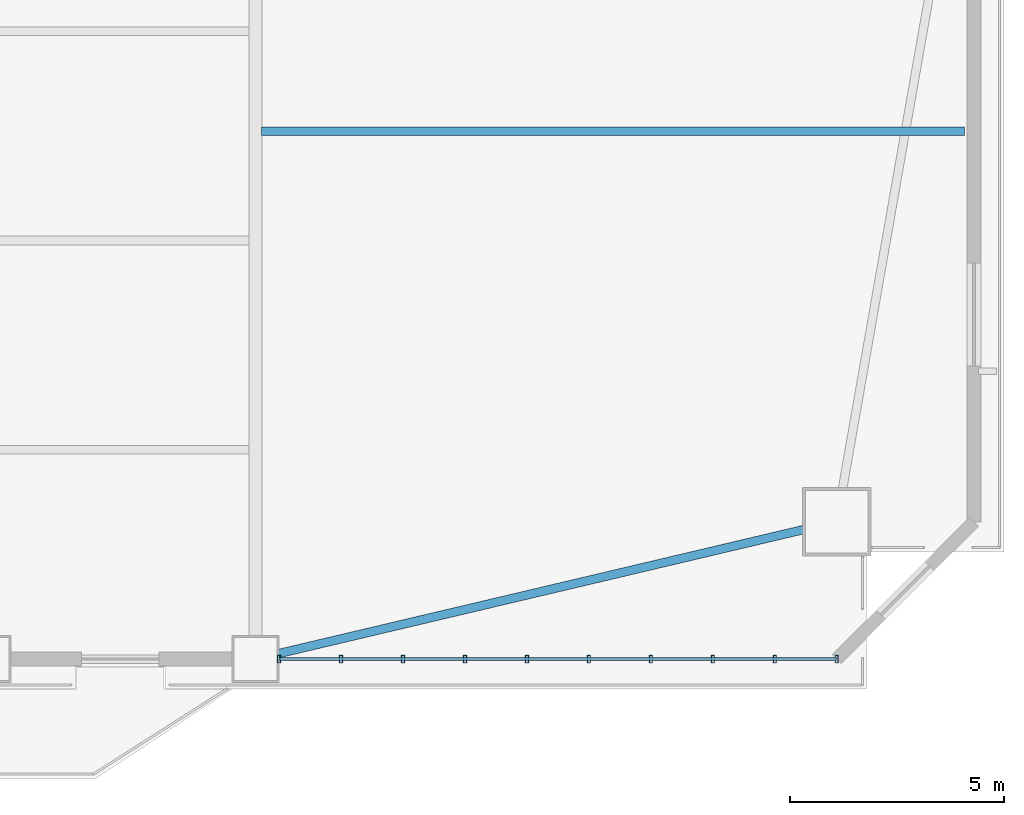
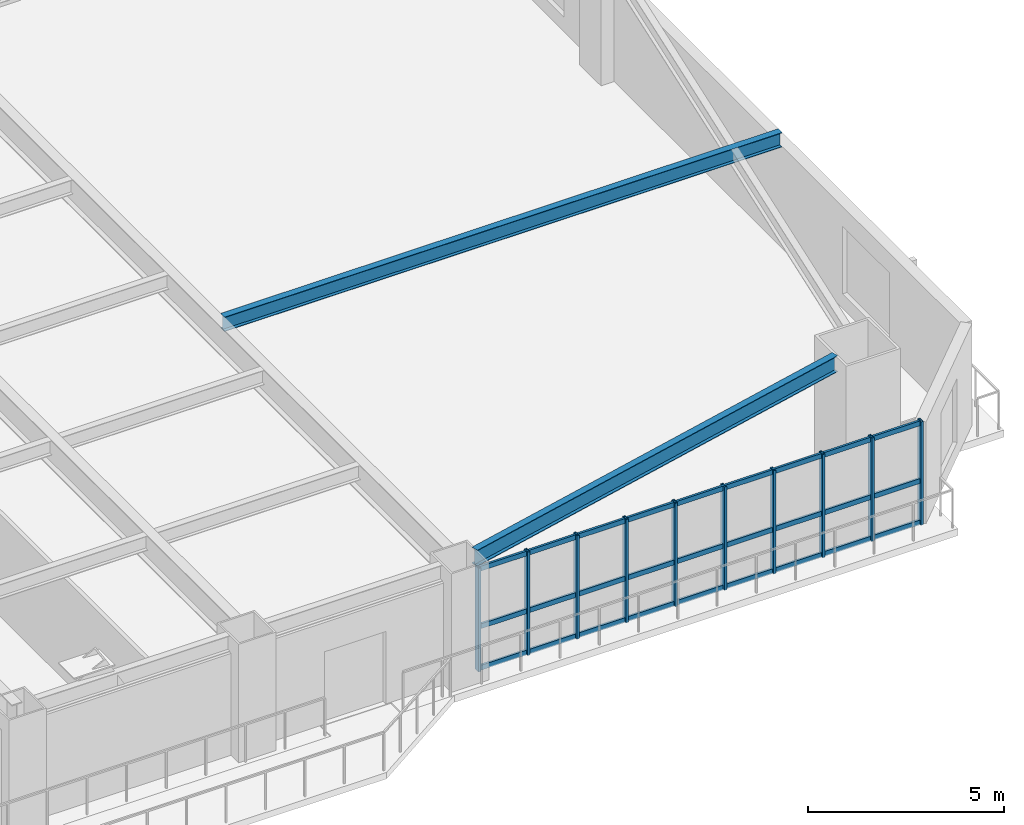
# One storey, part 6 of 17: 13 members, 2 beams, 1 element without a shape of its own.
"""IFC4 building model written with IfcOpenShell, lengths in metres."""

from ifc_helpers import new_model, si_unit, direction, frame, origin, origin_2d, place, context, subcontext, project, spatial, hollow_rectangle, i_section, extrude, source, transform, mapped, material, layer, layer_set, material_profile, profile_set, type_object, element, aggregate, save


model = new_model("IFC4")

# Units and contexts
model_context = context("Model", 3, precision=1e-05, world=origin(), true_north=direction((0.0, 1.0)))
body_context = subcontext(model_context, "Body", "Model", "MODEL_VIEW")
ifc_project = project(units=[si_unit("LENGTHUNIT", "METRE"), si_unit("AREAUNIT", "SQUARE_METRE"), si_unit("VOLUMEUNIT", "CUBIC_METRE"), si_unit("PLANEANGLEUNIT", "RADIAN"), si_unit("MASSUNIT", "GRAM", prefix="KILO")], contexts=[model_context])

# Site, building, storey
site_placement = place(None, origin())
site = spatial("IfcSite", under=ifc_project, at=site_placement, CompositionType="ELEMENT")
building_placement = place(site_placement, origin())
building = spatial("IfcBuilding", under=site, at=building_placement, Name="Giltprow Tower", CompositionType="ELEMENT")
storey_placement = place(building_placement, frame((0.0, 0.0, 29.300048828125)))
storey = spatial("IfcBuildingStorey", under=building, at=storey_placement, Name="L07", CompositionType="ELEMENT", Elevation=29.300048828125)

# Beams
ifc_material_1 = material(Name="Structural steel Q355B", Category="steel")
ifc_material_profile_1 = material_profile(ifc_material_1, i_section(OverallWidth=0.199951171875, OverallDepth=0.5, WebThickness=0.010009765625, FlangeThickness=0.01611328125, at=origin_2d()), Name="HN 500x200x10x16")
ifc_profile_set_1 = profile_set([ifc_material_profile_1], Name="Structural steel Q355B")
beam_type_1 = type_object("IfcBeamType", Name="BM-SPAN-HN500", PredefinedType="SPANDREL", material=ifc_profile_set_1)
shared_shape_1 = source(origin(), body_context, "Body", "SweptSolid", [
    extrude(i_section(OverallWidth=0.199951171875, OverallDepth=0.5, WebThickness=0.010009765625, FlangeThickness=0.01611328125, at=origin_2d()), origin(), (0.0, 0.0, 1.0), 12.602294921875),
])
beam_1_placement = place(storey_placement, frame((51.071044921875, 3.423095703125, 3.429931640625), z_axis=(0.973220162017, 0.229875001344, 0.0), x_axis=(-0.229875001344, 0.973220162017, 0.0)))
element("IfcBeam", 1, at=beam_1_placement, inside=storey, type_object=beam_type_1, Name="L07 Perimeter Spandrel Beam S4-MC_SE", PredefinedType="SPANDREL", context=body_context, shape_type="MappedRepresentation", body=[
    mapped(shared_shape_1, transform((0.0, 0.0, 0.0), x_axis=(1.0, 0.0, 0.0), y_axis=(0.0, 1.0, 0.0), z_axis=(0.0, 0.0, 1.0), scale=1.0)),
])
ifc_material_profile_2 = material_profile(ifc_material_1, i_section(OverallWidth=0.199951171875, OverallDepth=0.449951171875, WebThickness=0.009033203125, FlangeThickness=0.013916015625, at=origin_2d()), Name="HN 450x200x9x14")
ifc_profile_set_2 = profile_set([ifc_material_profile_2], Name="Structural steel Q355B")
beam_type_2 = type_object("IfcBeamType", Name="BM-JOIST-HN450", PredefinedType="JOIST", material=ifc_profile_set_2)
shared_shape_2 = source(origin(), body_context, "Body", "SweptSolid", [
    extrude(i_section(OverallWidth=0.199951171875, OverallDepth=0.449951171875, WebThickness=0.009033203125, FlangeThickness=0.013916015625, at=origin_2d()), origin(), (0.0, 0.0, 1.0), 16.385009765625),
])
beam_2_placement = place(storey_placement, frame((50.695068359375, 15.60009765625, 3.454833984375), z_axis=(1.0, 0.0, 0.0), x_axis=(0.0, 1.0, 0.0)))
element("IfcBeam", 2, at=beam_2_placement, inside=storey, type_object=beam_type_2, Name="L07 East Wing Floor Joist 1", PredefinedType="JOIST", context=body_context, shape_type="MappedRepresentation", body=[
    mapped(shared_shape_2, transform((0.0, 0.0, 0.0), x_axis=(1.0, 0.0, 0.0), y_axis=(0.0, 1.0, 0.0), z_axis=(0.0, 0.0, 1.0), scale=1.0)),
])

# Curtain wall, members
ifc_material_2 = material(Name="Anodized bronze", Category="metal")
ifc_layer = layer(ifc_material_2, 0.179931640625, Name="Anodized bronze")
ifc_layer_set = layer_set([ifc_layer], Name="Anodized bronze")
curtain_wall_type = type_object("IfcCurtainWallType", Name="CW-OFF-RECESSED", PredefinedType="NOTDEFINED", material=ifc_layer_set)
curtain_wall_placement = place(storey_placement, origin())
curtain_wall = element("IfcCurtainWall", 3, at=curtain_wall_placement, inside=storey, type_object=curtain_wall_type, Name="L07 South Recessed Curtain Wall 6", PredefinedType="NOTDEFINED")
ifc_material_profile_3 = material_profile(ifc_material_2, hollow_rectangle(XDim=0.074951171875, YDim=0.179931640625, WallThickness=0.008056640625, at=origin_2d()), Name="RHS 180x75x8")
ifc_profile_set_3 = profile_set([ifc_material_profile_3], Name="Anodized bronze")
member_type_1 = type_object("IfcMemberType", Name="CW-MULLION-180x75", PredefinedType="MULLION", material=ifc_profile_set_3)
shared_shape_3 = source(origin(), body_context, "Body", "SweptSolid", [
    extrude(hollow_rectangle(XDim=0.074951171875, YDim=0.179931640625, WallThickness=0.008056640625, at=origin_2d()), origin(), (0.0, 0.0, 1.0), 3.215087890625),
])
member_1_placement = place(storey_placement, frame((51.10009765625, 3.300048828125, -0.02001953125), z_axis=(0.0, 0.0, 1.0), x_axis=(1.0, 0.0, 0.0)))
member_1 = element("IfcMember", 4, at=member_1_placement, type_object=member_type_1, Name="L07 South Recessed Curtain Wall 6 Mullion 1", PredefinedType="MULLION", context=body_context, shape_type="MappedRepresentation", body=[
    mapped(shared_shape_3, transform((0.0, 0.0, 0.0), x_axis=(1.0, 0.0, 0.0), y_axis=(0.0, 1.0, 0.0), z_axis=(0.0, 0.0, 1.0), scale=1.0)),
])
member_2_placement = place(storey_placement, frame((52.5439453125, 3.300048828125, -0.02001953125), z_axis=(0.0, 0.0, 1.0), x_axis=(1.0, 0.0, 0.0)))
member_2 = element("IfcMember", 5, at=member_2_placement, type_object=member_type_1, Name="L07 South Recessed Curtain Wall 6 Mullion 2", PredefinedType="MULLION", context=body_context, shape_type="MappedRepresentation", body=[
    mapped(shared_shape_3, transform((0.0, 0.0, 0.0), x_axis=(1.0, 0.0, 0.0), y_axis=(0.0, 1.0, 0.0), z_axis=(0.0, 0.0, 1.0), scale=1.0)),
])
member_3_placement = place(storey_placement, frame((53.989013671875, 3.300048828125, -0.02001953125), z_axis=(0.0, 0.0, 1.0), x_axis=(1.0, 0.0, 0.0)))
member_3 = element("IfcMember", 6, at=member_3_placement, type_object=member_type_1, Name="L07 South Recessed Curtain Wall 6 Mullion 3", PredefinedType="MULLION", context=body_context, shape_type="MappedRepresentation", body=[
    mapped(shared_shape_3, transform((0.0, 0.0, 0.0), x_axis=(1.0, 0.0, 0.0), y_axis=(0.0, 1.0, 0.0), z_axis=(0.0, 0.0, 1.0), scale=1.0)),
])
member_4_placement = place(storey_placement, frame((55.43310546875, 3.300048828125, -0.02001953125), z_axis=(0.0, 0.0, 1.0), x_axis=(1.0, 0.0, 0.0)))
member_4 = element("IfcMember", 7, at=member_4_placement, type_object=member_type_1, Name="L07 South Recessed Curtain Wall 6 Mullion 4", PredefinedType="MULLION", context=body_context, shape_type="MappedRepresentation", body=[
    mapped(shared_shape_3, transform((0.0, 0.0, 0.0), x_axis=(1.0, 0.0, 0.0), y_axis=(0.0, 1.0, 0.0), z_axis=(0.0, 0.0, 1.0), scale=1.0)),
])
member_5_placement = place(storey_placement, frame((56.8779296875, 3.300048828125, -0.02001953125), z_axis=(0.0, 0.0, 1.0), x_axis=(1.0, 0.0, 0.0)))
member_5 = element("IfcMember", 8, at=member_5_placement, type_object=member_type_1, Name="L07 South Recessed Curtain Wall 6 Mullion 5", PredefinedType="MULLION", context=body_context, shape_type="MappedRepresentation", body=[
    mapped(shared_shape_3, transform((0.0, 0.0, 0.0), x_axis=(1.0, 0.0, 0.0), y_axis=(0.0, 1.0, 0.0), z_axis=(0.0, 0.0, 1.0), scale=1.0)),
])
member_6_placement = place(storey_placement, frame((58.322021484375, 3.300048828125, -0.02001953125), z_axis=(0.0, 0.0, 1.0), x_axis=(1.0, 0.0, 0.0)))
member_6 = element("IfcMember", 9, at=member_6_placement, type_object=member_type_1, Name="L07 South Recessed Curtain Wall 6 Mullion 6", PredefinedType="MULLION", context=body_context, shape_type="MappedRepresentation", body=[
    mapped(shared_shape_3, transform((0.0, 0.0, 0.0), x_axis=(1.0, 0.0, 0.0), y_axis=(0.0, 1.0, 0.0), z_axis=(0.0, 0.0, 1.0), scale=1.0)),
])
member_7_placement = place(storey_placement, frame((59.76708984375, 3.300048828125, -0.02001953125), z_axis=(0.0, 0.0, 1.0), x_axis=(1.0, 0.0, 0.0)))
member_7 = element("IfcMember", 10, at=member_7_placement, type_object=member_type_1, Name="L07 South Recessed Curtain Wall 6 Mullion 7", PredefinedType="MULLION", context=body_context, shape_type="MappedRepresentation", body=[
    mapped(shared_shape_3, transform((0.0, 0.0, 0.0), x_axis=(1.0, 0.0, 0.0), y_axis=(0.0, 1.0, 0.0), z_axis=(0.0, 0.0, 1.0), scale=1.0)),
])
member_8_placement = place(storey_placement, frame((61.2109375, 3.300048828125, -0.02001953125), z_axis=(0.0, 0.0, 1.0), x_axis=(1.0, 0.0, 0.0)))
member_8 = element("IfcMember", 11, at=member_8_placement, type_object=member_type_1, Name="L07 South Recessed Curtain Wall 6 Mullion 8", PredefinedType="MULLION", context=body_context, shape_type="MappedRepresentation", body=[
    mapped(shared_shape_3, transform((0.0, 0.0, 0.0), x_axis=(1.0, 0.0, 0.0), y_axis=(0.0, 1.0, 0.0), z_axis=(0.0, 0.0, 1.0), scale=1.0)),
])
member_9_placement = place(storey_placement, frame((62.656005859375, 3.300048828125, -0.02001953125), z_axis=(0.0, 0.0, 1.0), x_axis=(1.0, 0.0, 0.0)))
member_9 = element("IfcMember", 12, at=member_9_placement, type_object=member_type_1, Name="L07 South Recessed Curtain Wall 6 Mullion 9", PredefinedType="MULLION", context=body_context, shape_type="MappedRepresentation", body=[
    mapped(shared_shape_3, transform((0.0, 0.0, 0.0), x_axis=(1.0, 0.0, 0.0), y_axis=(0.0, 1.0, 0.0), z_axis=(0.0, 0.0, 1.0), scale=1.0)),
])
member_10_placement = place(storey_placement, frame((64.10009765625, 3.300048828125, -0.02001953125), z_axis=(0.0, 0.0, 1.0), x_axis=(1.0, 0.0, 0.0)))
member_10 = element("IfcMember", 13, at=member_10_placement, type_object=member_type_1, Name="L07 South Recessed Curtain Wall 6 Mullion 10", PredefinedType="MULLION", context=body_context, shape_type="MappedRepresentation", body=[
    mapped(shared_shape_3, transform((0.0, 0.0, 0.0), x_axis=(1.0, 0.0, 0.0), y_axis=(0.0, 1.0, 0.0), z_axis=(0.0, 0.0, 1.0), scale=1.0)),
])
ifc_material_profile_4 = material_profile(ifc_material_2, hollow_rectangle(XDim=0.06494140625, YDim=0.14990234375, WallThickness=0.006103515625, at=origin_2d()), Name="RHS 150x65x6")
ifc_profile_set_4 = profile_set([ifc_material_profile_4], Name="Anodized bronze")
member_type_2 = type_object("IfcMemberType", Name="CW-TRANSOM-150x65", PredefinedType="USERDEFINED", material=ifc_profile_set_4)
shared_shape_4 = source(origin(), body_context, "Body", "SweptSolid", [
    extrude(hollow_rectangle(XDim=0.06494140625, YDim=0.14990234375, WallThickness=0.006103515625, at=origin_2d()), origin(), (0.0, 0.0, 1.0), 13.0),
])
member_11_placement = place(storey_placement, frame((51.10009765625, 3.300048828125, 0.0400390625), z_axis=(1.0, 0.0, 0.0), x_axis=(0.0, 1.0, 0.0)))
member_11 = element("IfcMember", 14, at=member_11_placement, type_object=member_type_2, Name="L07 South Recessed Curtain Wall 6 Transom 1", ObjectType="TRANSOM", PredefinedType="USERDEFINED", context=body_context, shape_type="MappedRepresentation", body=[
    mapped(shared_shape_4, transform((0.0, 0.0, 0.0), x_axis=(1.0, 0.0, 0.0), y_axis=(0.0, 1.0, 0.0), z_axis=(0.0, 0.0, 1.0), scale=1.0)),
])
member_12_placement = place(storey_placement, frame((51.10009765625, 3.300048828125, 1.326904296875), z_axis=(1.0, 0.0, 0.0), x_axis=(0.0, 1.0, 0.0)))
member_12 = element("IfcMember", 15, at=member_12_placement, type_object=member_type_2, Name="L07 South Recessed Curtain Wall 6 Transom 2", ObjectType="TRANSOM", PredefinedType="USERDEFINED", context=body_context, shape_type="MappedRepresentation", body=[
    mapped(shared_shape_4, transform((0.0, 0.0, 0.0), x_axis=(1.0, 0.0, 0.0), y_axis=(0.0, 1.0, 0.0), z_axis=(0.0, 0.0, 1.0), scale=1.0)),
])
member_13_placement = place(storey_placement, frame((51.10009765625, 3.300048828125, 3.119873046875), z_axis=(1.0, 0.0, 0.0), x_axis=(0.0, 1.0, 0.0)))
member_13 = element("IfcMember", 16, at=member_13_placement, type_object=member_type_2, Name="L07 South Recessed Curtain Wall 6 Transom 3", ObjectType="TRANSOM", PredefinedType="USERDEFINED", context=body_context, shape_type="MappedRepresentation", body=[
    mapped(shared_shape_4, transform((0.0, 0.0, 0.0), x_axis=(1.0, 0.0, 0.0), y_axis=(0.0, 1.0, 0.0), z_axis=(0.0, 0.0, 1.0), scale=1.0)),
])
aggregate(curtain_wall, [member_1, member_2, member_3, member_4, member_5, member_6, member_7, member_8, member_9, member_10, member_11, member_12, member_13])

save(model, "model.ifc")
